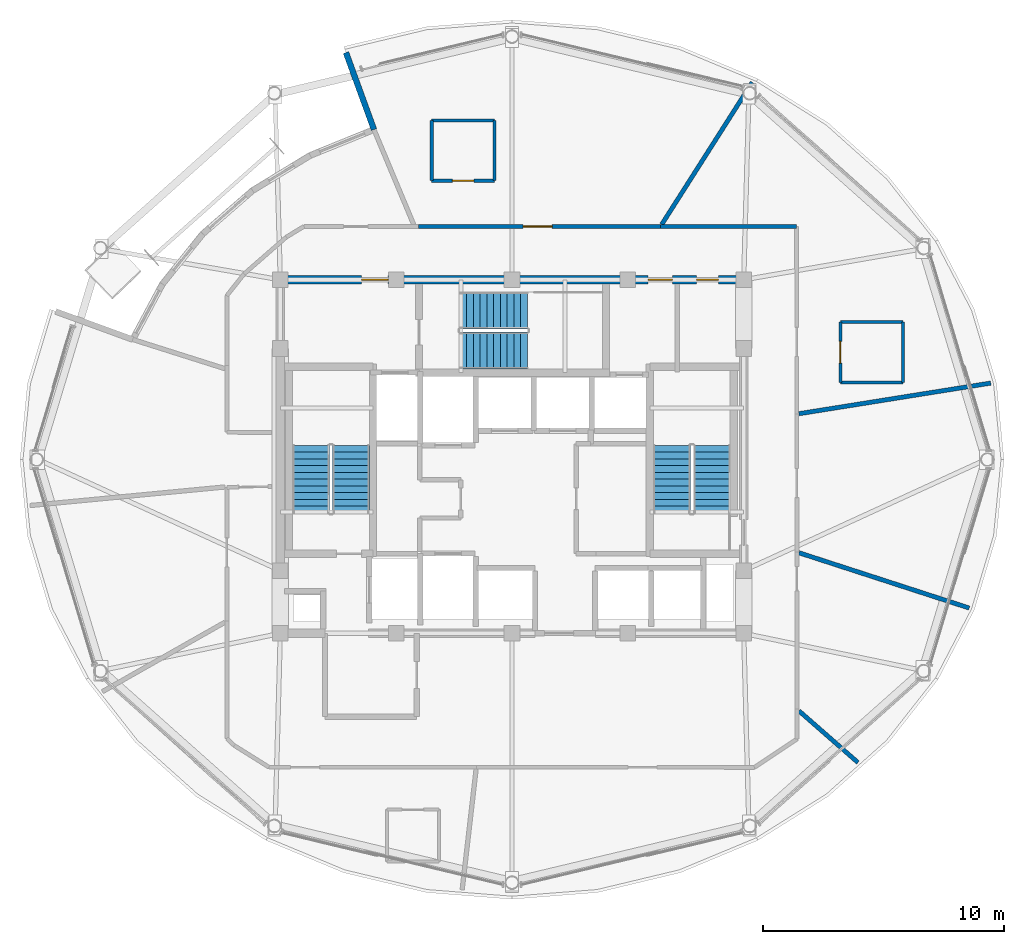
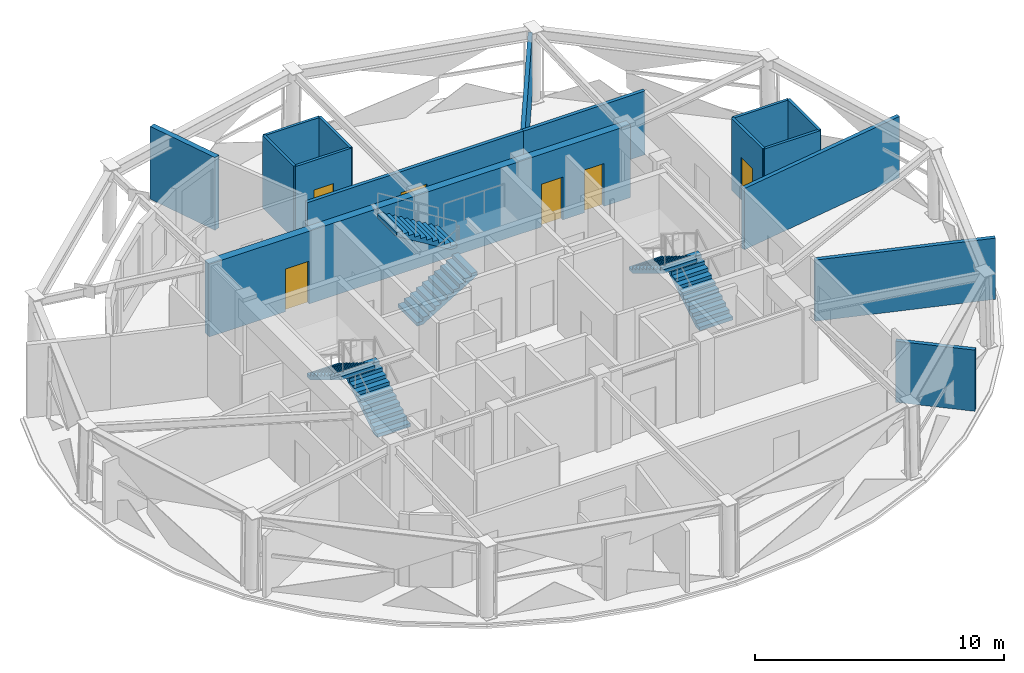
# One storey, part 10 of 14: 16 walls, 6 doors, 6 stair flights, 6 openings, 3 elements without a shape of their own.
"""IFC4 building model written with IfcOpenShell, lengths in metres."""

from ifc_helpers import new_model, si_unit, direction, frame, frame_2d, origin, place, context, subcontext, project, spatial, polyline, rectangle, outline, extrude, material, layer, layer_set, type_object, element, fill, aggregate, save


model = new_model("IFC4")

# Units and contexts
model_context = context("Model", 3, precision=1e-05, world=origin(), true_north=direction((0.0, 1.0)))
body_context = subcontext(model_context, "Body", "Model", "MODEL_VIEW")
ifc_project = project(units=[si_unit("LENGTHUNIT", "METRE"), si_unit("AREAUNIT", "SQUARE_METRE"), si_unit("VOLUMEUNIT", "CUBIC_METRE"), si_unit("PLANEANGLEUNIT", "RADIAN"), si_unit("MASSUNIT", "GRAM", prefix="KILO")], contexts=[model_context])

# Site, building, storey
site_placement = place(None, origin())
site = spatial("IfcSite", under=ifc_project, at=site_placement, CompositionType="ELEMENT")
building_placement = place(site_placement, origin())
building = spatial("IfcBuilding", under=site, at=building_placement, Name="Vantalir Tower", CompositionType="ELEMENT")
storey_placement = place(building_placement, frame((0.0, 0.0, 271.35009765625)))
storey = spatial("IfcBuildingStorey", under=building, at=storey_placement, Name="L68", CompositionType="ELEMENT", Elevation=271.35009765625)

# Walls
ifc_material_1 = material(Name="Moisture-resistant en-suite partition", Category="gypsum")
ifc_layer_1 = layer(ifc_material_1, 0.125)
ifc_layer_set_1 = layer_set([ifc_layer_1], Name="Moisture-resistant en-suite partition")
wall_type_1 = type_object("IfcWallType", Name="WL-BATH-125", PredefinedType="PARTITIONING", material=ifc_layer_set_1)
for number, where, z_axis, x_axis, name in (
    (1, (45.10498046875, 28.194091796875, 0.0), (0.0, 0.0, 1.0), (1.0, 0.0, 0.0), "L68 En-suite 01 South Wall"),
    (2, (45.10498046875, 30.694091796875, 0.0), (0.0, 0.0, 1.0), (1.0, 0.0, 0.0), "L68 En-suite 01 North Wall"),
):
    element("IfcWall", number, at=place(storey_placement, frame(where, z_axis=z_axis, x_axis=x_axis)), inside=storey, type_object=wall_type_1, Name=name, PredefinedType="PARTITIONING", context=body_context, shape_type="SweptSolid", body=[
        extrude(rectangle(XDim=2.60009765625, YDim=0.125, at=frame_2d((1.300048828125, 0.0))), origin(), (0.0, 0.0, 1.0), 3.5498046875),
    ])

# Wall, opening, door
wall_1_placement = place(storey_placement, frame((45.10498046875, 28.194091796875, 0.0), z_axis=(0.0, 0.0, 1.0), x_axis=(0.0, 1.0, 0.0)))
wall_1 = element("IfcWall", 3, at=wall_1_placement, inside=storey, type_object=wall_type_1, Name="L68 En-suite 01 West Wall", PredefinedType="PARTITIONING", context=body_context, shape_type="SweptSolid", body=[
    extrude(rectangle(XDim=2.5, YDim=0.125, at=frame_2d((1.25, 0.0))), origin(), (0.0, 0.0, 1.0), 3.5498046875),
])
opening_1_placement = place(wall_1_placement, frame((0.800048828125, 0.0, 0.0)))
opening_1 = element("IfcOpeningElement", 4, at=opening_1_placement, cuts=wall_1, Name="Opening D-WC", PredefinedType="OPENING", context=body_context, shape_type="SweptSolid", body=[
    extrude(rectangle(XDim=0.89990234375, YDim=2.10009765625, at=frame_2d((0.449951171875, 1.050048828125))), frame((0.0, 0.072509765625, 0.0), z_axis=(0.0, -1.0, 0.0), x_axis=(1.0, 0.0, 0.0)), (0.0, 0.0, 1.0), 0.14501953125),
])
ifc_material_2 = material(Name="Moisture-resistant hardwood door", Category="wood")
door_type_1 = type_object("IfcDoorType", Name="DR-ENSUITE-900", OperationType="NOTDEFINED", PredefinedType="DOOR", material=ifc_material_2)
door_1_placement = place(opening_1_placement, frame((0.89990234375, 0.0, 0.0), z_axis=(0.0, 0.0, 1.0), x_axis=(-1.0, 0.0, 0.0)))
door_1 = element("IfcDoor", 5, at=door_1_placement, inside=storey, type_object=door_type_1, Name="L68 En-suite 01 Door", OperationType="SINGLE_SWING_RIGHT", OverallHeight=2.10009765625, OverallWidth=0.89990234375, PredefinedType="DOOR", context=body_context, shape_type="SweptSolid", body=[
    extrude(rectangle(XDim=0.89990234375, YDim=2.10009765625, at=frame_2d((0.449951171875, 1.050048828125))), frame((0.0, 0.02490234375, 0.0), z_axis=(0.0, -1.0, 0.0), x_axis=(1.0, 0.0, 0.0)), (0.0, 0.0, 1.0), 0.050048828125),
])
fill(opening_1, door_1)

# Wall
wall_2_placement = place(storey_placement, frame((47.705078125, 28.194091796875, 0.0), z_axis=(0.0, 0.0, 1.0), x_axis=(0.0, 1.0, 0.0)))
element("IfcWall", 6, at=wall_2_placement, inside=storey, type_object=wall_type_1, Name="L68 En-suite 01 East Wall", PredefinedType="PARTITIONING", context=body_context, shape_type="SweptSolid", body=[
    extrude(rectangle(XDim=2.5, YDim=0.125, at=frame_2d((1.25, 0.0))), origin(), (0.0, 0.0, 1.0), 3.5498046875),
])

# Wall, opening, door
wall_3_placement = place(storey_placement, frame((28.175048828125, 36.553955078125, 0.0), z_axis=(0.0, 0.0, 1.0), x_axis=(1.0, 0.0, 0.0)))
wall_3 = element("IfcWall", 7, at=wall_3_placement, inside=storey, type_object=wall_type_1, Name="L68 En-suite 02 South Wall", PredefinedType="PARTITIONING", context=body_context, shape_type="SweptSolid", body=[
    extrude(rectangle(XDim=2.599853515625, YDim=0.125, at=frame_2d((1.2998046875, 0.0))), origin(), (0.0, 0.0, 1.0), 3.5498046875),
])
opening_2_placement = place(wall_3_placement, frame((0.85009765625, 0.0, 0.0)))
opening_2 = element("IfcOpeningElement", 8, at=opening_2_placement, cuts=wall_3, Name="Opening D-WC", PredefinedType="OPENING", context=body_context, shape_type="SweptSolid", body=[
    extrude(rectangle(XDim=0.89990234375, YDim=2.10009765625, at=frame_2d((0.449951171875, 1.050048828125))), frame((0.0, 0.072509765625, 0.0), z_axis=(0.0, -1.0, 0.0), x_axis=(1.0, 0.0, 0.0)), (0.0, 0.0, 1.0), 0.14501953125),
])
door_2_placement = place(opening_2_placement, origin())
door_2 = element("IfcDoor", 9, at=door_2_placement, inside=storey, type_object=door_type_1, Name="L68 En-suite 02 Door", OperationType="SINGLE_SWING_LEFT", OverallHeight=2.10009765625, OverallWidth=0.89990234375, PredefinedType="DOOR", context=body_context, shape_type="SweptSolid", body=[
    extrude(rectangle(XDim=0.89990234375, YDim=2.10009765625, at=frame_2d((0.449951171875, 1.050048828125))), frame((0.0, 0.02490234375, 0.0), z_axis=(0.0, -1.0, 0.0), x_axis=(1.0, 0.0, 0.0)), (0.0, 0.0, 1.0), 0.050048828125),
])
fill(opening_2, door_2)

# Walls
wall_4_placement = place(storey_placement, frame((28.175048828125, 39.053955078125, 0.0), z_axis=(0.0, 0.0, 1.0), x_axis=(1.0, 0.0, 0.0)))
element("IfcWall", 10, at=wall_4_placement, inside=storey, type_object=wall_type_1, Name="L68 En-suite 02 North Wall", PredefinedType="PARTITIONING", context=body_context, shape_type="SweptSolid", body=[
    extrude(rectangle(XDim=2.599853515625, YDim=0.125, at=frame_2d((1.2998046875, 0.0))), origin(), (0.0, 0.0, 1.0), 3.5498046875),
])
for number, where, z_axis, x_axis, name in (
    (11, (28.175048828125, 36.553955078125, 0.0), (0.0, 0.0, 1.0), (0.0, 1.0, 0.0), "L68 En-suite 02 West Wall"),
    (12, (30.77490234375, 36.553955078125, 0.0), (0.0, 0.0, 1.0), (0.0, 1.0, 0.0), "L68 En-suite 02 East Wall"),
):
    element("IfcWall", number, at=place(storey_placement, frame(where, z_axis=z_axis, x_axis=x_axis)), inside=storey, type_object=wall_type_1, Name=name, PredefinedType="PARTITIONING", context=body_context, shape_type="SweptSolid", body=[
        extrude(rectangle(XDim=2.5, YDim=0.125, at=frame_2d((1.25, 0.0))), origin(), (0.0, 0.0, 1.0), 3.5498046875),
    ])

# Wall, openings, doors
ifc_material_3 = material(Name="Concrete C50/60", Category="concrete")
ifc_layer_2 = layer(ifc_material_3, 0.35009765625)
ifc_layer_set_2 = layer_set([ifc_layer_2], Name="Concrete C50/60")
wall_type_2 = type_object("IfcWallType", Name="WL-CORE-350", PredefinedType="SHEAR", material=ifc_layer_set_2)
wall_5_placement = place(storey_placement, frame((21.72509765625, 32.449951171875, 0.0), z_axis=(0.0, 0.0, 1.0), x_axis=(1.0, 0.0, 0.0)))
wall_5 = element("IfcWall", 13, at=wall_5_placement, inside=storey, type_object=wall_type_2, Name="L68 Core Shear Wall North", PredefinedType="SHEAR", context=body_context, shape_type="SweptSolid", body=[
    extrude(rectangle(XDim=19.5498046875, YDim=0.35009765625, at=frame_2d((9.77490234375, 0.0))), origin(), (0.0, 0.0, 1.0), 3.56982421875),
])
opening_3_placement = place(wall_5_placement, frame((3.5400390625, 0.0, 0.0)))
opening_3 = element("IfcOpeningElement", 14, at=opening_3_placement, cuts=wall_5, Name="Opening D-FFL", PredefinedType="OPENING", context=body_context, shape_type="SweptSolid", body=[
    extrude(rectangle(XDim=1.10009765625, YDim=2.10009765625, at=frame_2d((0.550048828125, 1.050048828125))), frame((0.0, 0.18505859375, 0.0), z_axis=(0.0, -1.0, 0.0), x_axis=(1.0, 0.0, 0.0)), (0.0, 0.0, 1.0), 0.3701171875),
])
opening_4_placement = place(wall_5_placement, frame((15.4150390625, 0.0, 0.0)))
opening_4 = element("IfcOpeningElement", 15, at=opening_4_placement, cuts=wall_5, Name="Opening D-GUEST", PredefinedType="OPENING", context=body_context, shape_type="SweptSolid", body=[
    extrude(rectangle(XDim=1.0, YDim=2.10009765625, at=frame_2d((0.5, 1.050048828125))), frame((0.0, 0.18505859375, 0.0), z_axis=(0.0, -1.0, 0.0), x_axis=(1.0, 0.0, 0.0)), (0.0, 0.0, 1.0), 0.3701171875),
])
opening_5_placement = place(wall_5_placement, frame((17.425048828125, 0.0, 0.0)))
opening_5 = element("IfcOpeningElement", 16, at=opening_5_placement, cuts=wall_5, Name="Opening D-CR", PredefinedType="OPENING", context=body_context, shape_type="SweptSolid", body=[
    extrude(rectangle(XDim=0.89990234375, YDim=2.10009765625, at=frame_2d((0.449951171875, 1.050048828125))), frame((0.0, 0.18505859375, 0.0), z_axis=(0.0, -1.0, 0.0), x_axis=(1.0, 0.0, 0.0)), (0.0, 0.0, 1.0), 0.3701171875),
])
ifc_material_4 = material(Name="Fire-rated steel core service door", Category="steel")
door_type_2 = type_object("IfcDoorType", Name="DR-CORE-SERV-900", OperationType="NOTDEFINED", PredefinedType="DOOR", material=ifc_material_4)
door_3_placement = place(opening_5_placement, frame((0.89990234375, 0.0, 0.0), z_axis=(0.0, 0.0, 1.0), x_axis=(-1.0, 0.0, 0.0)))
door_3 = element("IfcDoor", 17, at=door_3_placement, inside=storey, type_object=door_type_2, Name="L68 Housekeeping and Linen Room Door", OperationType="SINGLE_SWING_RIGHT", OverallHeight=2.10009765625, OverallWidth=0.89990234375, PredefinedType="DOOR", context=body_context, shape_type="SweptSolid", body=[
    extrude(rectangle(XDim=0.89990234375, YDim=2.10009765625, at=frame_2d((0.449951171875, 1.050048828125))), frame((0.0, 0.02490234375, 0.0), z_axis=(0.0, -1.0, 0.0), x_axis=(1.0, 0.0, 0.0)), (0.0, 0.0, 1.0), 0.050048828125),
])
fill(opening_5, door_3)
ifc_material_5 = material(Name="Fire-rated acoustic steel door", Category="steel")
door_type_3 = type_object("IfcDoorType", Name="DR-FIRE-LOBBY-1100", OperationType="NOTDEFINED", PredefinedType="DOOR", material=ifc_material_5)
door_4_placement = place(opening_3_placement, frame((1.10009765625, 0.0, 0.0), z_axis=(0.0, 0.0, 1.0), x_axis=(-1.0, 0.0, 0.0)))
door_4 = element("IfcDoor", 18, at=door_4_placement, inside=storey, type_object=door_type_3, Name="L68 Firefighting Lobby East Access Door", OperationType="SINGLE_SWING_RIGHT", OverallHeight=2.10009765625, OverallWidth=1.10009765625, PredefinedType="DOOR", context=body_context, shape_type="SweptSolid", body=[
    extrude(rectangle(XDim=1.10009765625, YDim=2.10009765625, at=frame_2d((0.550048828125, 1.050048828125))), frame((0.0, 0.02490234375, 0.0), z_axis=(0.0, -1.0, 0.0), x_axis=(1.0, 0.0, 0.0)), (0.0, 0.0, 1.0), 0.050048828125),
])
fill(opening_3, door_4)
ifc_material_6 = material(Name="Solid-core teak veneer acoustic fire door", Category="wood")
door_type_4 = type_object("IfcDoorType", Name="DR-GUEST-ENTRY-1000", OperationType="NOTDEFINED", PredefinedType="DOOR", material=ifc_material_6)
door_5_placement = place(opening_4_placement, frame((1.0, 0.0, 0.0), z_axis=(0.0, 0.0, 1.0), x_axis=(-1.0, 0.0, 0.0)))
door_5 = element("IfcDoor", 19, at=door_5_placement, inside=storey, type_object=door_type_4, Name="L68 High-Rise Lift Lobby Door", OperationType="SINGLE_SWING_LEFT", OverallHeight=2.10009765625, OverallWidth=1.0, PredefinedType="DOOR", context=body_context, shape_type="SweptSolid", body=[
    extrude(rectangle(XDim=1.0, YDim=2.10009765625, at=frame_2d((0.5, 1.050048828125))), frame((0.0, 0.02490234375, 0.0), z_axis=(0.0, -1.0, 0.0), x_axis=(1.0, 0.0, 0.0)), (0.0, 0.0, 1.0), 0.050048828125),
])
fill(opening_4, door_5)

# Wall, opening, door
ifc_material_7 = material(Name="Fire-rated hotel corridor acoustic partition", Category="gypsum")
ifc_layer_3 = layer(ifc_material_7, 0.159912109375)
ifc_layer_set_3 = layer_set([ifc_layer_3], Name="Fire-rated hotel corridor acoustic partition")
wall_type_3 = type_object("IfcWallType", Name="WL-CORR-160", PredefinedType="PARTITIONING", material=ifc_layer_set_3)
wall_6_placement = place(storey_placement, frame((27.6220703125, 34.662109375, 0.0), z_axis=(0.0, 0.0, 1.0), x_axis=(0.999999992594, -0.000121704841, 0.0)))
wall_6 = element("IfcWall", 20, at=wall_6_placement, inside=storey, type_object=wall_type_3, Name="L68 Corridor Partition 08", PredefinedType="PARTITIONING", context=body_context, shape_type="SweptSolid", body=[
    extrude(rectangle(XDim=10.030029296875, YDim=0.159912109375, at=frame_2d((5.01513671875, 0.0))), origin(), (0.0, 0.0, 1.0), 3.1318359375),
])
opening_6_placement = place(wall_6_placement, frame((4.340087890625, 0.0, 0.0)))
opening_6 = element("IfcOpeningElement", 21, at=opening_6_placement, cuts=wall_6, Name="Opening D-STE", PredefinedType="OPENING", context=body_context, shape_type="SweptSolid", body=[
    extrude(rectangle(XDim=1.199951171875, YDim=2.10009765625, at=frame_2d((0.60009765625, 1.050048828125))), frame((0.0, 0.08984375, 0.0), z_axis=(0.0, -1.0, 0.0), x_axis=(1.0, 0.0, 0.0)), (0.0, 0.0, 1.0), 0.179931640625),
])
ifc_material_8 = material(Name="Solid-core teak veneer suite entrance door", Category="wood")
door_type_5 = type_object("IfcDoorType", Name="DR-SUITE-ENTRY-1200", OperationType="NOTDEFINED", PredefinedType="DOOR", material=ifc_material_8)
door_6_placement = place(opening_6_placement, origin())
door_6 = element("IfcDoor", 22, at=door_6_placement, inside=storey, type_object=door_type_5, Name="L68 Executive Club Hotel Suite 02 Door", OperationType="SINGLE_SWING_LEFT", OverallHeight=2.10009765625, OverallWidth=1.199951171875, PredefinedType="DOOR", context=body_context, shape_type="SweptSolid", body=[
    extrude(rectangle(XDim=1.199951171875, YDim=2.10009765625, at=frame_2d((0.60009765625, 1.050048828125))), frame((0.0, 0.02490234375, 0.0), z_axis=(0.0, -1.0, 0.0), x_axis=(1.0, 0.0, 0.0)), (0.0, 0.0, 1.0), 0.050048828125),
])
fill(opening_6, door_6)

# Walls
wall_7_placement = place(storey_placement, frame((37.652099609375, 34.660888671875, 0.0), z_axis=(0.0, 0.0, 1.0), x_axis=(0.999999985019, -0.000173092732, 0.0)))
element("IfcWall", 23, at=wall_7_placement, inside=storey, type_object=wall_type_3, Name="L68 Corridor Partition 09", PredefinedType="PARTITIONING", context=body_context, shape_type="SweptSolid", body=[
    extrude(rectangle(XDim=5.641845703125, YDim=0.159912109375, at=frame_2d((2.82080078125, 0.0))), origin(), (0.0, 0.0, 1.0), 3.1318359375),
])
ifc_material_9 = material(Name="Precast concrete C40/50 insulated sky-garden wall", Category="concrete")
ifc_layer_4 = layer(ifc_material_9, 0.239990234375)
ifc_layer_set_4 = layer_set([ifc_layer_4], Name="Precast concrete C40/50 insulated sky-garden wall")
wall_type_4 = type_object("IfcWallType", Name="WL-EXT-SG-240", PredefinedType="SOLIDWALL", material=ifc_layer_set_4)
wall_8_placement = place(storey_placement, frame((24.618896484375, 41.866943359375, 0.0), z_axis=(0.0, 0.0, 1.0), x_axis=(0.341835319025, -0.939759870747, 0.0)))
element("IfcWall", 24, at=wall_8_placement, inside=storey, type_object=wall_type_4, Name="L68 SG4 Sky-Garden Return Wall A", PredefinedType="SOLIDWALL", context=body_context, shape_type="SweptSolid", body=[
    extrude(rectangle(XDim=3.399658203125, YDim=0.239990234375, at=frame_2d((1.69970703125, 0.0))), origin(), (0.0, 0.0, 1.0), 3.56982421875),
])
ifc_material_10 = material(Name="Twin-stud acoustic fire-rated gypsum partition", Category="gypsum")
ifc_layer_5 = layer(ifc_material_10, 0.179931640625)
ifc_layer_set_5 = layer_set([ifc_layer_5], Name="Twin-stud acoustic fire-rated gypsum partition")
wall_type_5 = type_object("IfcWallType", Name="WL-GUEST-180", PredefinedType="PARTITIONING", material=ifc_layer_set_5)
wall_9_placement = place(storey_placement, frame((43.389892578125, 26.90087890625, 0.0), z_axis=(0.0, 0.0, 1.0), x_axis=(0.987472789383, 0.157789385666, 0.0)))
element("IfcWall", 25, at=wall_9_placement, inside=storey, type_object=wall_type_5, Name="L68 Radial Suite Partition 01", PredefinedType="PARTITIONING", context=body_context, shape_type="SweptSolid", body=[
    extrude(rectangle(XDim=8.048828125, YDim=0.179931640625, at=frame_2d((4.0244140625, 0.0))), origin(), (0.0, 0.0, 1.0), 3.0029296875),
])
wall_10_placement = place(storey_placement, frame((37.701904296875, 34.739990234375, 0.0), z_axis=(0.0, 0.0, 1.0), x_axis=(0.537088099419, 0.843526154581, 0.0)))
element("IfcWall", 26, at=wall_10_placement, inside=storey, type_object=wall_type_5, Name="L68 Radial Suite Partition 02", PredefinedType="PARTITIONING", context=body_context, shape_type="SweptSolid", body=[
    extrude(rectangle(XDim=6.98388671875, YDim=0.179931640625, at=frame_2d((3.491943359375, 0.0))), origin(), (0.0, 0.0, 1.0), 3.0029296875),
])
wall_11_placement = place(storey_placement, frame((43.389892578125, 14.589111328125, 0.0), z_axis=(0.0, 0.0, 1.0), x_axis=(0.752469635062, -0.658626941683, 0.0)))
element("IfcWall", 27, at=wall_11_placement, inside=storey, type_object=wall_type_5, Name="L68 Radial Suite Partition 08", PredefinedType="PARTITIONING", context=body_context, shape_type="SweptSolid", body=[
    extrude(rectangle(XDim=3.24951171875, YDim=0.179931640625, at=frame_2d((1.624755859375, 0.0))), origin(), (0.0, 0.0, 1.0), 3.0029296875),
])
wall_12_placement = place(storey_placement, frame((43.389892578125, 21.139892578125, 0.0), z_axis=(0.0, 0.0, 1.0), x_axis=(0.951145769264, -0.308742166883, 0.0)))
element("IfcWall", 28, at=wall_12_placement, inside=storey, type_object=wall_type_5, Name="L68 Radial Suite Partition 09", PredefinedType="PARTITIONING", context=body_context, shape_type="SweptSolid", body=[
    extrude(rectangle(XDim=7.41650390625, YDim=0.179931640625, at=frame_2d((3.708251953125, 0.0))), origin(), (0.0, 0.0, 1.0), 3.0029296875),
])

# Stair, stair flights
ifc_material_11 = material(Name="Concrete C40/50", Category="concrete")
stair_type = type_object("IfcStairType", Name="STR-CORE-1450", PredefinedType="HALF_TURN_STAIR", material=ifc_material_11)
stair_1_placement = place(storey_placement, origin())
stair_1 = element("IfcStair", 29, at=stair_1_placement, inside=storey, type_object=stair_type, Name="L68 Core Exit Stair 1", PredefinedType="HALF_TURN_STAIR")
stair_flight_type = type_object("IfcStairFlightType", Name="FLT-CORE-1450", PredefinedType="STRAIGHT", material=ifc_material_11)
stair_flight_1_placement = place(storey_placement, frame((24.830078125, 22.7900390625, 0.0), z_axis=(0.0, 0.0, 1.0), x_axis=(0.0, 1.0, 0.0)))
stair_flight_1 = element("IfcStairFlight", 30, at=stair_flight_1_placement, type_object=stair_flight_type, Name="ST1 flight 1", NumberOfRisers=11, NumberOfTreads=10, PredefinedType="STRAIGHT", RiserHeight=0.170454545, TreadLength=0.28, context=body_context, shape_type="SweptSolid", body=[
    extrude(outline(polyline([(0.0, 0.0), (0.0, 0.17041015625), (0.280029296875, 0.17041015625), (0.280029296875, 0.3408203125), (0.56005859375, 0.3408203125), (0.56005859375, 0.511474609375), (0.840087890625, 0.511474609375), (0.840087890625, 0.681884765625), (1.1201171875, 0.681884765625), (1.1201171875, 0.852294921875), (1.39990234375, 0.852294921875), (1.39990234375, 1.022705078125), (1.679931640625, 1.022705078125), (1.679931640625, 1.193115234375), (1.9599609375, 1.193115234375), (1.9599609375, 1.363525390625), (2.239990234375, 1.363525390625), (2.239990234375, 1.5341796875), (2.52001953125, 1.5341796875), (2.52001953125, 1.70458984375), (2.800048828125, 1.70458984375), (2.800048828125, 1.875), (2.800048828125, 1.529052734375), (0.288330078125, 0.0), (0.0, 0.0)])), frame((0.0, 0.77001953125, 0.0), z_axis=(0.0, -1.0, 0.0), x_axis=(1.0, 0.0, 0.0)), (0.0, 0.0, 1.0), 1.5400390625),
])
stair_flight_2_placement = place(storey_placement, frame((23.169921875, 25.590087890625, 1.875), z_axis=(0.0, 0.0, 1.0), x_axis=(0.0, -1.0, 0.0)))
stair_flight_2 = element("IfcStairFlight", 31, at=stair_flight_2_placement, type_object=stair_flight_type, Name="ST1 flight 2", NumberOfRisers=11, NumberOfTreads=10, PredefinedType="STRAIGHT", RiserHeight=0.170454545, TreadLength=0.28, context=body_context, shape_type="SweptSolid", body=[
    extrude(outline(polyline([(0.0, 0.0), (0.0, 0.17041015625), (0.280029296875, 0.17041015625), (0.280029296875, 0.3408203125), (0.56005859375, 0.3408203125), (0.56005859375, 0.511474609375), (0.840087890625, 0.511474609375), (0.840087890625, 0.681884765625), (1.1201171875, 0.681884765625), (1.1201171875, 0.852294921875), (1.39990234375, 0.852294921875), (1.39990234375, 1.022705078125), (1.679931640625, 1.022705078125), (1.679931640625, 1.193115234375), (1.9599609375, 1.193115234375), (1.9599609375, 1.363525390625), (2.239990234375, 1.363525390625), (2.239990234375, 1.5341796875), (2.52001953125, 1.5341796875), (2.52001953125, 1.70458984375), (2.800048828125, 1.70458984375), (2.800048828125, 1.875), (2.800048828125, 1.529052734375), (0.288330078125, 0.0), (0.0, 0.0)])), frame((0.0, 0.77001953125, 0.0), z_axis=(0.0, -1.0, 0.0), x_axis=(1.0, 0.0, 0.0)), (0.0, 0.0, 1.0), 1.5400390625),
])
aggregate(stair_1, [stair_flight_1, stair_flight_2])

stair_2_placement = place(storey_placement, origin())
stair_2 = element("IfcStair", 32, at=stair_2_placement, inside=storey, type_object=stair_type, Name="L68 Core Exit Stair 2", PredefinedType="HALF_TURN_STAIR")
stair_flight_3_placement = place(storey_placement, frame((39.780029296875, 22.7900390625, 0.0), z_axis=(0.0, 0.0, 1.0), x_axis=(0.0, 1.0, 0.0)))
stair_flight_3 = element("IfcStairFlight", 33, at=stair_flight_3_placement, type_object=stair_flight_type, Name="ST2 flight 1", NumberOfRisers=11, NumberOfTreads=10, PredefinedType="STRAIGHT", RiserHeight=0.170454545, TreadLength=0.28, context=body_context, shape_type="SweptSolid", body=[
    extrude(outline(polyline([(0.0, 0.0), (0.0, 0.17041015625), (0.280029296875, 0.17041015625), (0.280029296875, 0.3408203125), (0.56005859375, 0.3408203125), (0.56005859375, 0.511474609375), (0.840087890625, 0.511474609375), (0.840087890625, 0.681884765625), (1.1201171875, 0.681884765625), (1.1201171875, 0.852294921875), (1.39990234375, 0.852294921875), (1.39990234375, 1.022705078125), (1.679931640625, 1.022705078125), (1.679931640625, 1.193115234375), (1.9599609375, 1.193115234375), (1.9599609375, 1.363525390625), (2.239990234375, 1.363525390625), (2.239990234375, 1.5341796875), (2.52001953125, 1.5341796875), (2.52001953125, 1.70458984375), (2.800048828125, 1.70458984375), (2.800048828125, 1.875), (2.800048828125, 1.529052734375), (0.288330078125, 0.0), (0.0, 0.0)])), frame((0.0, 0.77001953125, 0.0), z_axis=(0.0, -1.0, 0.0), x_axis=(1.0, 0.0, 0.0)), (0.0, 0.0, 1.0), 1.5400390625),
])
stair_flight_4_placement = place(storey_placement, frame((38.1201171875, 25.590087890625, 1.875), z_axis=(0.0, 0.0, 1.0), x_axis=(0.0, -1.0, 0.0)))
stair_flight_4 = element("IfcStairFlight", 34, at=stair_flight_4_placement, type_object=stair_flight_type, Name="ST2 flight 2", NumberOfRisers=11, NumberOfTreads=10, PredefinedType="STRAIGHT", RiserHeight=0.170454545, TreadLength=0.28, context=body_context, shape_type="SweptSolid", body=[
    extrude(outline(polyline([(0.0, 0.0), (0.0, 0.17041015625), (0.280029296875, 0.17041015625), (0.280029296875, 0.3408203125), (0.56005859375, 0.3408203125), (0.56005859375, 0.511474609375), (0.840087890625, 0.511474609375), (0.840087890625, 0.681884765625), (1.1201171875, 0.681884765625), (1.1201171875, 0.852294921875), (1.39990234375, 0.852294921875), (1.39990234375, 1.022705078125), (1.679931640625, 1.022705078125), (1.679931640625, 1.193115234375), (1.9599609375, 1.193115234375), (1.9599609375, 1.363525390625), (2.239990234375, 1.363525390625), (2.239990234375, 1.5341796875), (2.52001953125, 1.5341796875), (2.52001953125, 1.70458984375), (2.800048828125, 1.70458984375), (2.800048828125, 1.875), (2.800048828125, 1.529052734375), (0.288330078125, 0.0), (0.0, 0.0)])), frame((0.0, 0.77001953125, 0.0), z_axis=(0.0, -1.0, 0.0), x_axis=(1.0, 0.0, 0.0)), (0.0, 0.0, 1.0), 1.5400390625),
])
aggregate(stair_2, [stair_flight_3, stair_flight_4])

stair_3_placement = place(storey_placement, origin())
stair_3 = element("IfcStair", 35, at=stair_3_placement, inside=storey, type_object=stair_type, Name="L68 Core Exit Stair 3", PredefinedType="HALF_TURN_STAIR")
stair_flight_5_placement = place(storey_placement, frame((29.340087890625, 29.52001953125, 0.0), z_axis=(0.0, 0.0, 1.0), x_axis=(1.0, 0.0, 0.0)))
stair_flight_5 = element("IfcStairFlight", 36, at=stair_flight_5_placement, type_object=stair_flight_type, Name="ST3 flight 1", NumberOfRisers=11, NumberOfTreads=10, PredefinedType="STRAIGHT", RiserHeight=0.170454545, TreadLength=0.28, context=body_context, shape_type="SweptSolid", body=[
    extrude(outline(polyline([(0.0, 0.0), (0.0, 0.17041015625), (0.280029296875, 0.17041015625), (0.280029296875, 0.3408203125), (0.56005859375, 0.3408203125), (0.56005859375, 0.511474609375), (0.840087890625, 0.511474609375), (0.840087890625, 0.681884765625), (1.1201171875, 0.681884765625), (1.1201171875, 0.852294921875), (1.39990234375, 0.852294921875), (1.39990234375, 1.022705078125), (1.679931640625, 1.022705078125), (1.679931640625, 1.193115234375), (1.9599609375, 1.193115234375), (1.9599609375, 1.363525390625), (2.239990234375, 1.363525390625), (2.239990234375, 1.5341796875), (2.52001953125, 1.5341796875), (2.52001953125, 1.70458984375), (2.800048828125, 1.70458984375), (2.800048828125, 1.875), (2.800048828125, 1.529052734375), (0.288330078125, 0.0), (0.0, 0.0)])), frame((0.0, 0.77001953125, 0.0), z_axis=(0.0, -1.0, 0.0), x_axis=(1.0, 0.0, 0.0)), (0.0, 0.0, 1.0), 1.5400390625),
])
stair_flight_6_placement = place(storey_placement, frame((32.139892578125, 31.179931640625, 1.875), z_axis=(0.0, 0.0, 1.0), x_axis=(-1.0, 0.0, 0.0)))
stair_flight_6 = element("IfcStairFlight", 37, at=stair_flight_6_placement, type_object=stair_flight_type, Name="ST3 flight 2", NumberOfRisers=11, NumberOfTreads=10, PredefinedType="STRAIGHT", RiserHeight=0.170454545, TreadLength=0.28, context=body_context, shape_type="SweptSolid", body=[
    extrude(outline(polyline([(0.0, 0.0), (0.0, 0.17041015625), (0.280029296875, 0.17041015625), (0.280029296875, 0.3408203125), (0.56005859375, 0.3408203125), (0.56005859375, 0.511474609375), (0.840087890625, 0.511474609375), (0.840087890625, 0.681884765625), (1.1201171875, 0.681884765625), (1.1201171875, 0.852294921875), (1.39990234375, 0.852294921875), (1.39990234375, 1.022705078125), (1.679931640625, 1.022705078125), (1.679931640625, 1.193115234375), (1.9599609375, 1.193115234375), (1.9599609375, 1.363525390625), (2.239990234375, 1.363525390625), (2.239990234375, 1.5341796875), (2.52001953125, 1.5341796875), (2.52001953125, 1.70458984375), (2.800048828125, 1.70458984375), (2.800048828125, 1.875), (2.800048828125, 1.529052734375), (0.288330078125, 0.0), (0.0, 0.0)])), frame((0.0, 0.77001953125, 0.0), z_axis=(0.0, -1.0, 0.0), x_axis=(1.0, 0.0, 0.0)), (0.0, 0.0, 1.0), 1.5400390625),
])
aggregate(stair_3, [stair_flight_5, stair_flight_6])

save(model, "model.ifc")
